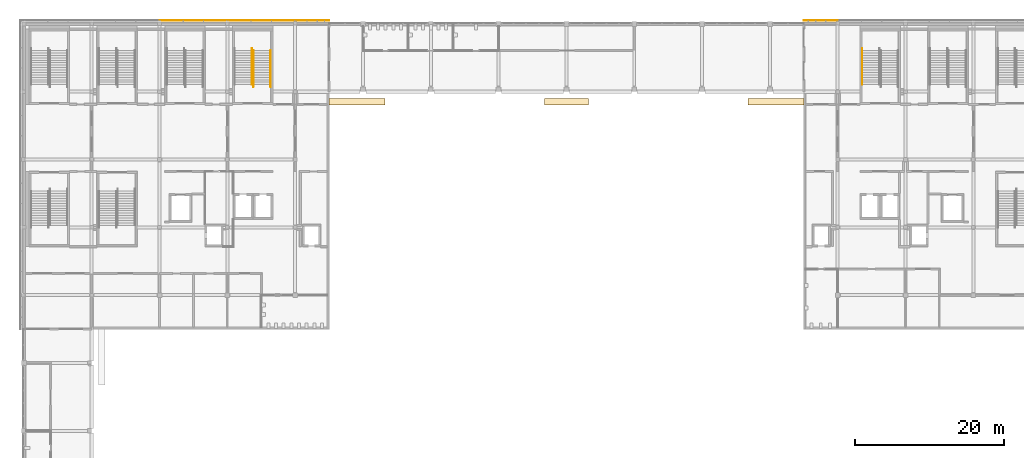
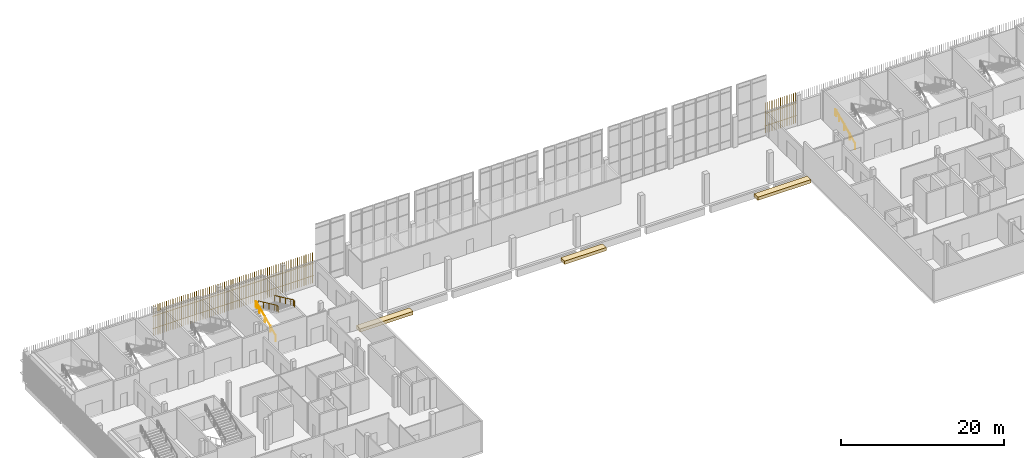
# One storey, part 81 of 91: 4 railings, 4 shading devices, 3 coverings.
"""IFC4 building model written with IfcOpenShell, lengths in metres."""

from ifc_helpers import new_model, si_unit, direction, frame, origin, origin_2d, place, context, subcontext, project, spatial, polyline, rectangle, circle, outline, extrude, material, layer, layer_set, type_object, element, save


model = new_model("IFC4")

# Units and contexts
model_context = context("Model", 3, precision=1e-05, world=origin(), true_north=direction((0.0, 1.0)))
body_context = subcontext(model_context, "Body", "Model", "MODEL_VIEW")
ifc_project = project(units=[si_unit("LENGTHUNIT", "METRE"), si_unit("AREAUNIT", "SQUARE_METRE"), si_unit("VOLUMEUNIT", "CUBIC_METRE"), si_unit("PLANEANGLEUNIT", "RADIAN"), si_unit("MASSUNIT", "GRAM", prefix="KILO")], contexts=[model_context])

# Site, building, storey
site_placement = place(None, origin())
site = spatial("IfcSite", under=ifc_project, at=site_placement, CompositionType="ELEMENT")
building_placement = place(site_placement, origin())
building = spatial("IfcBuilding", under=site, at=building_placement, Name="Shirokan Park Arena", CompositionType="ELEMENT")
storey_placement = place(building_placement, frame((0.0, 0.0, 24.570068359375)))
storey = spatial("IfcBuildingStorey", under=building, at=storey_placement, Name="L05", CompositionType="ELEMENT", Elevation=24.570068359375)

# Coverings
ifc_material_1 = material(Name="Concrete screed on the tier", Category="concrete")
ifc_layer = layer(ifc_material_1, 0.47998046875)
ifc_layer_set = layer_set([ifc_layer], Name="Concrete screed on the tier 480 mm")
covering_type = type_object("IfcCoveringType", Name="Platform floor infill 480", PredefinedType="FLOORING", material=ifc_layer_set)
covering_1_placement = place(storey_placement, frame((0.0, 0.0, -0.47998046875)))
element("IfcCovering", 1, at=covering_1_placement, inside=storey, type_object=covering_type, Name="Wheelchair Platform Floor N1 Upper Tier", PredefinedType="FLOORING", context=body_context, shape_type="SweptSolid", body=[
    extrude(outline(polyline([(48.449951171875, 98.300048828125), (48.449951171875, 99.199951171875), (40.949951171875, 99.199951171875), (40.949951171875, 98.300048828125), (48.449951171875, 98.300048828125)])), origin(), (0.0, 0.0, 1.0), 0.47998046875),
])
covering_2_placement = place(storey_placement, frame((0.0, 0.0, -0.47998046875)))
element("IfcCovering", 2, at=covering_2_placement, inside=storey, type_object=covering_type, Name="Wheelchair Platform Floor N2 Upper Tier", PredefinedType="FLOORING", context=body_context, shape_type="SweptSolid", body=[
    extrude(outline(polyline([(75.75, 98.300048828125), (75.75, 99.199951171875), (69.85009765625, 99.199951171875), (69.85009765625, 98.300048828125), (75.75, 98.300048828125)])), origin(), (0.0, 0.0, 1.0), 0.47998046875),
])
covering_3_placement = place(storey_placement, frame((0.0, 0.0, -0.47998046875)))
element("IfcCovering", 3, at=covering_3_placement, inside=storey, type_object=covering_type, Name="Wheelchair Platform Floor N3 Upper Tier", PredefinedType="FLOORING", context=body_context, shape_type="SweptSolid", body=[
    extrude(outline(polyline([(104.64990234375, 98.300048828125), (104.64990234375, 99.199951171875), (97.14990234375, 99.199951171875), (97.14990234375, 98.300048828125), (104.64990234375, 98.300048828125)])), origin(), (0.0, 0.0, 1.0), 0.47998046875),
])

# Railings
ifc_material_2 = material(Name="Stainless steel", Category="steel")
railing_type = type_object("IfcRailingType", Name="Stair handrail 900", PredefinedType="HANDRAIL", material=ifc_material_2)
railing_1_placement = place(storey_placement, frame((30.610107421875, 101.050048828125, 0.151611328125)))
element("IfcRailing", 4, at=railing_1_placement, inside=storey, type_object=railing_type, Name="Handrail Exit Stair 4.D L05 to L06", PredefinedType="HANDRAIL", context=body_context, shape_type="SweptSolid", body=[
    extrude(circle(Radius=0.02392578125, at=origin_2d()), frame((0.0, 0.0, 0.8759765625), z_axis=(0.0, 0.906999720516, 0.421131222998), x_axis=(-1.0, 0.0, 0.0)), (0.0, 0.0, 1.0), 1.440673828125),
    extrude(circle(Radius=0.02392578125, at=origin_2d()), frame((0.0, 1.306640625, 1.482421875), z_axis=(0.0, 0.907029769225, 0.421066500378), x_axis=(-1.0, 0.0, 0.0)), (0.0, 0.0, 1.0), 1.44091796875),
    extrude(circle(Radius=0.02392578125, at=origin_2d()), frame((0.0, 2.613525390625, 2.08935546875), z_axis=(0.0, 0.907029769225, 0.421066500378), x_axis=(-1.0, 0.0, 0.0)), (0.0, 0.0, 1.0), 1.44091796875),
    extrude(circle(Radius=0.02392578125, at=origin_2d()), frame((0.0, 3.92041015625, 2.69580078125), z_axis=(0.0, 0.907064445915, 0.420991794405), x_axis=(-1.0, 0.0, 0.0)), (0.0, 0.0, 1.0), 0.72021484375),
    extrude(circle(Radius=0.02392578125, at=origin_2d()), frame((0.0, 4.57373046875, 2.9990234375), z_axis=(0.0, 1.0, 0.0), x_axis=(-1.0, 0.0, 0.0)), (0.0, 0.0, 1.0), 0.300048828125),
    extrude(circle(Radius=0.02099609375, at=origin_2d()), origin(), (0.0, 0.0, 1.0), 0.851806640625),
    extrude(circle(Radius=0.02099609375, at=origin_2d()), frame((0.0, 1.306640625, 0.606689453125)), (0.0, 0.0, 1.0), 0.851806640625),
    extrude(circle(Radius=0.02099609375, at=origin_2d()), frame((0.0, 2.613525390625, 1.21337890625)), (0.0, 0.0, 1.0), 0.851806640625),
    extrude(circle(Radius=0.02099609375, at=origin_2d()), frame((0.0, 3.92041015625, 1.820068359375)), (0.0, 0.0, 1.0), 0.851806640625),
    extrude(circle(Radius=0.02099609375, at=origin_2d()), frame((0.0, 4.57373046875, 2.123291015625)), (0.0, 0.0, 1.0), 0.851806640625),
    extrude(circle(Radius=0.02099609375, at=origin_2d()), frame((0.0, 4.873779296875, 2.123291015625)), (0.0, 0.0, 1.0), 0.851806640625),
])
railing_2_placement = place(storey_placement, frame((30.7900390625, 105.623779296875, 2.426513671875)))
element("IfcRailing", 5, at=railing_2_placement, inside=storey, type_object=railing_type, Name="Handrail Exit Stair 4.D L05 to L06", PredefinedType="HANDRAIL", context=body_context, shape_type="SweptSolid", body=[
    extrude(circle(Radius=0.02392578125, at=origin_2d()), frame((0.0, 0.0, 0.8759765625), z_axis=(0.0, -0.907029769225, 0.421066500378), x_axis=(1.0, 0.0, 0.0)), (0.0, 0.0, 1.0), 1.44091796875),
    extrude(circle(Radius=0.02392578125, at=origin_2d()), frame((0.0, -1.306884765625, 1.482421875), z_axis=(0.0, -0.906999720516, 0.421131222998), x_axis=(1.0, 0.0, 0.0)), (0.0, 0.0, 1.0), 1.440673828125),
    extrude(circle(Radius=0.02392578125, at=origin_2d()), frame((0.0, -2.613525390625, 2.08935546875), z_axis=(0.0, -0.907029769225, 0.421066500378), x_axis=(1.0, 0.0, 0.0)), (0.0, 0.0, 1.0), 1.44091796875),
    extrude(circle(Radius=0.02392578125, at=origin_2d()), frame((0.0, -3.92041015625, 2.69580078125), z_axis=(0.0, -0.906934982928, 0.421270621741), x_axis=(1.0, 0.0, 0.0)), (0.0, 0.0, 1.0), 0.720458984375),
    extrude(circle(Radius=0.02392578125, at=origin_2d()), frame((0.0, -4.57373046875, 2.99951171875), z_axis=(0.0, -1.0, 0.0), x_axis=(1.0, 0.0, 0.0)), (0.0, 0.0, 1.0), 0.300048828125),
    extrude(circle(Radius=0.02099609375, at=origin_2d()), origin(), (0.0, 0.0, 1.0), 0.851806640625),
    extrude(circle(Radius=0.02099609375, at=origin_2d()), frame((0.0, -1.306884765625, 0.606689453125)), (0.0, 0.0, 1.0), 0.851806640625),
    extrude(circle(Radius=0.02099609375, at=origin_2d()), frame((0.0, -2.613525390625, 1.21337890625)), (0.0, 0.0, 1.0), 0.851806640625),
    extrude(circle(Radius=0.02099609375, at=origin_2d()), frame((0.0, -3.92041015625, 1.820068359375)), (0.0, 0.0, 1.0), 0.851806640625),
    extrude(circle(Radius=0.02099609375, at=origin_2d()), frame((0.0, -4.57373046875, 2.12353515625)), (0.0, 0.0, 1.0), 0.851806640625),
    extrude(circle(Radius=0.02099609375, at=origin_2d()), frame((0.0, -4.873779296875, 2.12353515625)), (0.0, 0.0, 1.0), 0.851806640625),
])
railing_3_placement = place(storey_placement, frame((33.110107421875, 105.623779296875, 2.426513671875)))
element("IfcRailing", 6, at=railing_3_placement, inside=storey, type_object=railing_type, Name="Handrail Exit Stair 4.D L05 to L06", PredefinedType="HANDRAIL", context=body_context, shape_type="SweptSolid", body=[
    extrude(circle(Radius=0.02392578125, at=origin_2d()), frame((0.0, 0.0, 0.8759765625), z_axis=(0.0, -0.907029769225, 0.421066500378), x_axis=(1.0, 0.0, 0.0)), (0.0, 0.0, 1.0), 1.44091796875),
    extrude(circle(Radius=0.02392578125, at=origin_2d()), frame((0.0, -1.306884765625, 1.482421875), z_axis=(0.0, -0.906999720516, 0.421131222998), x_axis=(1.0, 0.0, 0.0)), (0.0, 0.0, 1.0), 1.440673828125),
    extrude(circle(Radius=0.02392578125, at=origin_2d()), frame((0.0, -2.613525390625, 2.08935546875), z_axis=(0.0, -0.907029769225, 0.421066500378), x_axis=(1.0, 0.0, 0.0)), (0.0, 0.0, 1.0), 1.44091796875),
    extrude(circle(Radius=0.02392578125, at=origin_2d()), frame((0.0, -3.92041015625, 2.69580078125), z_axis=(0.0, -0.906934982928, 0.421270621741), x_axis=(1.0, 0.0, 0.0)), (0.0, 0.0, 1.0), 0.720458984375),
    extrude(circle(Radius=0.02392578125, at=origin_2d()), frame((0.0, -4.57373046875, 2.99951171875), z_axis=(0.0, -1.0, 0.0), x_axis=(1.0, 0.0, 0.0)), (0.0, 0.0, 1.0), 0.300048828125),
    extrude(circle(Radius=0.02099609375, at=origin_2d()), origin(), (0.0, 0.0, 1.0), 0.851806640625),
    extrude(circle(Radius=0.02099609375, at=origin_2d()), frame((0.0, -1.306884765625, 0.606689453125)), (0.0, 0.0, 1.0), 0.851806640625),
    extrude(circle(Radius=0.02099609375, at=origin_2d()), frame((0.0, -2.613525390625, 1.21337890625)), (0.0, 0.0, 1.0), 0.851806640625),
    extrude(circle(Radius=0.02099609375, at=origin_2d()), frame((0.0, -3.92041015625, 1.820068359375)), (0.0, 0.0, 1.0), 0.851806640625),
    extrude(circle(Radius=0.02099609375, at=origin_2d()), frame((0.0, -4.57373046875, 2.12353515625)), (0.0, 0.0, 1.0), 0.851806640625),
    extrude(circle(Radius=0.02099609375, at=origin_2d()), frame((0.0, -4.873779296875, 2.12353515625)), (0.0, 0.0, 1.0), 0.851806640625),
])
railing_4_placement = place(storey_placement, frame((112.489990234375, 101.050048828125, 0.151611328125)))
element("IfcRailing", 7, at=railing_4_placement, inside=storey, type_object=railing_type, Name="Handrail Exit Stair 3.D L05 to L06", PredefinedType="HANDRAIL", context=body_context, shape_type="SweptSolid", body=[
    extrude(circle(Radius=0.02392578125, at=origin_2d()), frame((0.0, 0.0, 0.8759765625), z_axis=(0.0, 0.906999720516, 0.421131222998), x_axis=(-1.0, 0.0, 0.0)), (0.0, 0.0, 1.0), 1.440673828125),
    extrude(circle(Radius=0.02392578125, at=origin_2d()), frame((0.0, 1.306640625, 1.482421875), z_axis=(0.0, 0.907029769225, 0.421066500378), x_axis=(-1.0, 0.0, 0.0)), (0.0, 0.0, 1.0), 1.44091796875),
    extrude(circle(Radius=0.02392578125, at=origin_2d()), frame((0.0, 2.613525390625, 2.08935546875), z_axis=(0.0, 0.907029769225, 0.421066500378), x_axis=(-1.0, 0.0, 0.0)), (0.0, 0.0, 1.0), 1.44091796875),
    extrude(circle(Radius=0.02392578125, at=origin_2d()), frame((0.0, 3.92041015625, 2.69580078125), z_axis=(0.0, 0.907064445915, 0.420991794405), x_axis=(-1.0, 0.0, 0.0)), (0.0, 0.0, 1.0), 0.72021484375),
    extrude(circle(Radius=0.02392578125, at=origin_2d()), frame((0.0, 4.57373046875, 2.9990234375), z_axis=(0.0, 1.0, 0.0), x_axis=(-1.0, 0.0, 0.0)), (0.0, 0.0, 1.0), 0.300048828125),
    extrude(circle(Radius=0.02099609375, at=origin_2d()), origin(), (0.0, 0.0, 1.0), 0.851806640625),
    extrude(circle(Radius=0.02099609375, at=origin_2d()), frame((0.0, 1.306640625, 0.606689453125)), (0.0, 0.0, 1.0), 0.851806640625),
    extrude(circle(Radius=0.02099609375, at=origin_2d()), frame((0.0, 2.613525390625, 1.21337890625)), (0.0, 0.0, 1.0), 0.851806640625),
    extrude(circle(Radius=0.02099609375, at=origin_2d()), frame((0.0, 3.92041015625, 1.820068359375)), (0.0, 0.0, 1.0), 0.851806640625),
    extrude(circle(Radius=0.02099609375, at=origin_2d()), frame((0.0, 4.57373046875, 2.123291015625)), (0.0, 0.0, 1.0), 0.851806640625),
    extrude(circle(Radius=0.02099609375, at=origin_2d()), frame((0.0, 4.873779296875, 2.123291015625)), (0.0, 0.0, 1.0), 0.851806640625),
])

# Shading devices
ifc_material_3 = material(Name="Timber louvre veil (cedar)", Category="wood")
shading_device_type = type_object("IfcShadingDeviceType", Name="Timber louvre veil panel", PredefinedType="JALOUSIE", material=ifc_material_3)
shading_device_1_placement = place(storey_placement, origin())
element("IfcShadingDevice", 8, at=shading_device_1_placement, inside=storey, type_object=shading_device_type, Name="Timber louvre veil north bay 5 L05", PredefinedType="JALOUSIE", context=body_context, shape_type="SweptSolid", body=[
    extrude(rectangle(XDim=0.050048828125, YDim=0.080078125, at=origin_2d()), frame((109.04833984375, 109.68505859375, 0.0), z_axis=(0.0, 0.0, 1.0), x_axis=(-1.0, 0.0, 0.0)), (0.0, 0.0, 1.0), 4.550048828125),
    extrude(rectangle(XDim=0.050048828125, YDim=0.080078125, at=origin_2d()), frame((108.7451171875, 109.68505859375, 0.0), z_axis=(0.0, 0.0, 1.0), x_axis=(-1.0, 0.0, 0.0)), (0.0, 0.0, 1.0), 4.550048828125),
    extrude(rectangle(XDim=0.050048828125, YDim=0.080078125, at=origin_2d()), frame((108.441650390625, 109.68505859375, 0.0), z_axis=(0.0, 0.0, 1.0), x_axis=(-1.0, 0.0, 0.0)), (0.0, 0.0, 1.0), 4.550048828125),
    extrude(rectangle(XDim=0.050048828125, YDim=0.080078125, at=origin_2d()), frame((108.138427734375, 109.68505859375, 0.0), z_axis=(0.0, 0.0, 1.0), x_axis=(-1.0, 0.0, 0.0)), (0.0, 0.0, 1.0), 4.550048828125),
    extrude(rectangle(XDim=0.050048828125, YDim=0.080078125, at=origin_2d()), frame((107.8349609375, 109.68505859375, 0.0), z_axis=(0.0, 0.0, 1.0), x_axis=(-1.0, 0.0, 0.0)), (0.0, 0.0, 1.0), 4.550048828125),
    extrude(rectangle(XDim=0.050048828125, YDim=0.080078125, at=origin_2d()), frame((107.53173828125, 109.68505859375, 0.0), z_axis=(0.0, 0.0, 1.0), x_axis=(-1.0, 0.0, 0.0)), (0.0, 0.0, 1.0), 4.550048828125),
    extrude(rectangle(XDim=0.050048828125, YDim=0.080078125, at=origin_2d()), frame((107.228271484375, 109.68505859375, 0.0), z_axis=(0.0, 0.0, 1.0), x_axis=(-1.0, 0.0, 0.0)), (0.0, 0.0, 1.0), 4.550048828125),
    extrude(rectangle(XDim=0.050048828125, YDim=0.080078125, at=origin_2d()), frame((106.925048828125, 109.68505859375, 0.0), z_axis=(0.0, 0.0, 1.0), x_axis=(-1.0, 0.0, 0.0)), (0.0, 0.0, 1.0), 4.550048828125),
    extrude(rectangle(XDim=0.050048828125, YDim=0.080078125, at=origin_2d()), frame((106.62158203125, 109.68505859375, 0.0), z_axis=(0.0, 0.0, 1.0), x_axis=(-1.0, 0.0, 0.0)), (0.0, 0.0, 1.0), 4.550048828125),
    extrude(rectangle(XDim=0.050048828125, YDim=0.080078125, at=origin_2d()), frame((106.318359375, 109.68505859375, 0.0), z_axis=(0.0, 0.0, 1.0), x_axis=(-1.0, 0.0, 0.0)), (0.0, 0.0, 1.0), 4.550048828125),
    extrude(rectangle(XDim=0.050048828125, YDim=0.080078125, at=origin_2d()), frame((106.014892578125, 109.68505859375, 0.0), z_axis=(0.0, 0.0, 1.0), x_axis=(-1.0, 0.0, 0.0)), (0.0, 0.0, 1.0), 4.550048828125),
    extrude(rectangle(XDim=0.050048828125, YDim=0.080078125, at=origin_2d()), frame((105.711669921875, 109.68505859375, 0.0), z_axis=(0.0, 0.0, 1.0), x_axis=(-1.0, 0.0, 0.0)), (0.0, 0.0, 1.0), 4.550048828125),
    extrude(rectangle(XDim=0.050048828125, YDim=0.080078125, at=origin_2d()), frame((105.408447265625, 109.68505859375, 0.0), z_axis=(0.0, 0.0, 1.0), x_axis=(-1.0, 0.0, 0.0)), (0.0, 0.0, 1.0), 4.550048828125),
    extrude(rectangle(XDim=0.050048828125, YDim=0.080078125, at=origin_2d()), frame((105.10498046875, 109.68505859375, 0.0), z_axis=(0.0, 0.0, 1.0), x_axis=(-1.0, 0.0, 0.0)), (0.0, 0.0, 1.0), 4.550048828125),
    extrude(rectangle(XDim=0.050048828125, YDim=0.080078125, at=origin_2d()), frame((104.8017578125, 109.68505859375, 0.0), z_axis=(0.0, 0.0, 1.0), x_axis=(-1.0, 0.0, 0.0)), (0.0, 0.0, 1.0), 4.550048828125),
    extrude(rectangle(XDim=4.550048828125, YDim=0.050048828125, at=origin_2d()), frame((106.925048828125, 109.669921875, 1.059814453125), z_axis=(0.0, 0.0, 1.0), x_axis=(-1.0, 0.0, 0.0)), (0.0, 0.0, 1.0), 0.080078125),
    extrude(rectangle(XDim=4.550048828125, YDim=0.050048828125, at=origin_2d()), frame((106.925048828125, 109.669921875, 2.909912109375), z_axis=(0.0, 0.0, 1.0), x_axis=(-1.0, 0.0, 0.0)), (0.0, 0.0, 1.0), 0.080078125),
])
shading_device_2_placement = place(storey_placement, origin())
element("IfcShadingDevice", 9, at=shading_device_2_placement, inside=storey, type_object=shading_device_type, Name="Timber louvre veil north bay 12 L05", PredefinedType="JALOUSIE", context=body_context, shape_type="SweptSolid", body=[
    extrude(rectangle(XDim=0.050048828125, YDim=0.080078125, at=origin_2d()), frame((40.79833984375, 109.68505859375, 0.0), z_axis=(0.0, 0.0, 1.0), x_axis=(-1.0, 0.0, 0.0)), (0.0, 0.0, 1.0), 4.550048828125),
    extrude(rectangle(XDim=0.050048828125, YDim=0.080078125, at=origin_2d()), frame((40.4951171875, 109.68505859375, 0.0), z_axis=(0.0, 0.0, 1.0), x_axis=(-1.0, 0.0, 0.0)), (0.0, 0.0, 1.0), 4.550048828125),
    extrude(rectangle(XDim=0.050048828125, YDim=0.080078125, at=origin_2d()), frame((40.191650390625, 109.68505859375, 0.0), z_axis=(0.0, 0.0, 1.0), x_axis=(-1.0, 0.0, 0.0)), (0.0, 0.0, 1.0), 4.550048828125),
    extrude(rectangle(XDim=0.050048828125, YDim=0.080078125, at=origin_2d()), frame((39.888427734375, 109.68505859375, 0.0), z_axis=(0.0, 0.0, 1.0), x_axis=(-1.0, 0.0, 0.0)), (0.0, 0.0, 1.0), 4.550048828125),
    extrude(rectangle(XDim=0.050048828125, YDim=0.080078125, at=origin_2d()), frame((39.5849609375, 109.68505859375, 0.0), z_axis=(0.0, 0.0, 1.0), x_axis=(-1.0, 0.0, 0.0)), (0.0, 0.0, 1.0), 4.550048828125),
    extrude(rectangle(XDim=0.050048828125, YDim=0.080078125, at=origin_2d()), frame((39.28173828125, 109.68505859375, 0.0), z_axis=(0.0, 0.0, 1.0), x_axis=(-1.0, 0.0, 0.0)), (0.0, 0.0, 1.0), 4.550048828125),
    extrude(rectangle(XDim=0.050048828125, YDim=0.080078125, at=origin_2d()), frame((38.978271484375, 109.68505859375, 0.0), z_axis=(0.0, 0.0, 1.0), x_axis=(-1.0, 0.0, 0.0)), (0.0, 0.0, 1.0), 4.550048828125),
    extrude(rectangle(XDim=0.050048828125, YDim=0.080078125, at=origin_2d()), frame((38.675048828125, 109.68505859375, 0.0), z_axis=(0.0, 0.0, 1.0), x_axis=(-1.0, 0.0, 0.0)), (0.0, 0.0, 1.0), 4.550048828125),
    extrude(rectangle(XDim=0.050048828125, YDim=0.080078125, at=origin_2d()), frame((38.37158203125, 109.68505859375, 0.0), z_axis=(0.0, 0.0, 1.0), x_axis=(-1.0, 0.0, 0.0)), (0.0, 0.0, 1.0), 4.550048828125),
    extrude(rectangle(XDim=0.050048828125, YDim=0.080078125, at=origin_2d()), frame((38.068359375, 109.68505859375, 0.0), z_axis=(0.0, 0.0, 1.0), x_axis=(-1.0, 0.0, 0.0)), (0.0, 0.0, 1.0), 4.550048828125),
    extrude(rectangle(XDim=0.050048828125, YDim=0.080078125, at=origin_2d()), frame((37.764892578125, 109.68505859375, 0.0), z_axis=(0.0, 0.0, 1.0), x_axis=(-1.0, 0.0, 0.0)), (0.0, 0.0, 1.0), 4.550048828125),
    extrude(rectangle(XDim=0.050048828125, YDim=0.080078125, at=origin_2d()), frame((37.461669921875, 109.68505859375, 0.0), z_axis=(0.0, 0.0, 1.0), x_axis=(-1.0, 0.0, 0.0)), (0.0, 0.0, 1.0), 4.550048828125),
    extrude(rectangle(XDim=0.050048828125, YDim=0.080078125, at=origin_2d()), frame((37.158447265625, 109.68505859375, 0.0), z_axis=(0.0, 0.0, 1.0), x_axis=(-1.0, 0.0, 0.0)), (0.0, 0.0, 1.0), 4.550048828125),
    extrude(rectangle(XDim=0.050048828125, YDim=0.080078125, at=origin_2d()), frame((36.85498046875, 109.68505859375, 0.0), z_axis=(0.0, 0.0, 1.0), x_axis=(-1.0, 0.0, 0.0)), (0.0, 0.0, 1.0), 4.550048828125),
    extrude(rectangle(XDim=0.050048828125, YDim=0.080078125, at=origin_2d()), frame((36.5517578125, 109.68505859375, 0.0), z_axis=(0.0, 0.0, 1.0), x_axis=(-1.0, 0.0, 0.0)), (0.0, 0.0, 1.0), 4.550048828125),
    extrude(rectangle(XDim=4.550048828125, YDim=0.050048828125, at=origin_2d()), frame((38.675048828125, 109.669921875, 1.059814453125), z_axis=(0.0, 0.0, 1.0), x_axis=(-1.0, 0.0, 0.0)), (0.0, 0.0, 1.0), 0.080078125),
    extrude(rectangle(XDim=4.550048828125, YDim=0.050048828125, at=origin_2d()), frame((38.675048828125, 109.669921875, 2.909912109375), z_axis=(0.0, 0.0, 1.0), x_axis=(-1.0, 0.0, 0.0)), (0.0, 0.0, 1.0), 0.080078125),
])
shading_device_3_placement = place(storey_placement, origin())
element("IfcShadingDevice", 10, at=shading_device_3_placement, inside=storey, type_object=shading_device_type, Name="Timber louvre veil north bay 13 L05", PredefinedType="JALOUSIE", context=body_context, shape_type="SweptSolid", body=[
    extrude(rectangle(XDim=0.050048828125, YDim=0.080078125, at=origin_2d()), frame((36.248291015625, 109.68505859375, 0.0), z_axis=(0.0, 0.0, 1.0), x_axis=(-1.0, 0.0, 0.0)), (0.0, 0.0, 1.0), 4.550048828125),
    extrude(rectangle(XDim=0.050048828125, YDim=0.080078125, at=origin_2d()), frame((35.945068359375, 109.68505859375, 0.0), z_axis=(0.0, 0.0, 1.0), x_axis=(-1.0, 0.0, 0.0)), (0.0, 0.0, 1.0), 4.550048828125),
    extrude(rectangle(XDim=0.050048828125, YDim=0.080078125, at=origin_2d()), frame((35.6416015625, 109.68505859375, 0.0), z_axis=(0.0, 0.0, 1.0), x_axis=(-1.0, 0.0, 0.0)), (0.0, 0.0, 1.0), 4.550048828125),
    extrude(rectangle(XDim=0.050048828125, YDim=0.080078125, at=origin_2d()), frame((35.33837890625, 109.68505859375, 0.0), z_axis=(0.0, 0.0, 1.0), x_axis=(-1.0, 0.0, 0.0)), (0.0, 0.0, 1.0), 4.550048828125),
    extrude(rectangle(XDim=0.050048828125, YDim=0.080078125, at=origin_2d()), frame((35.034912109375, 109.68505859375, 0.0), z_axis=(0.0, 0.0, 1.0), x_axis=(-1.0, 0.0, 0.0)), (0.0, 0.0, 1.0), 4.550048828125),
    extrude(rectangle(XDim=0.050048828125, YDim=0.080078125, at=origin_2d()), frame((34.731689453125, 109.68505859375, 0.0), z_axis=(0.0, 0.0, 1.0), x_axis=(-1.0, 0.0, 0.0)), (0.0, 0.0, 1.0), 4.550048828125),
    extrude(rectangle(XDim=0.050048828125, YDim=0.080078125, at=origin_2d()), frame((34.42822265625, 109.68505859375, 0.0), z_axis=(0.0, 0.0, 1.0), x_axis=(-1.0, 0.0, 0.0)), (0.0, 0.0, 1.0), 4.550048828125),
    extrude(rectangle(XDim=0.050048828125, YDim=0.080078125, at=origin_2d()), frame((34.125, 109.68505859375, 0.0), z_axis=(0.0, 0.0, 1.0), x_axis=(-1.0, 0.0, 0.0)), (0.0, 0.0, 1.0), 4.550048828125),
    extrude(rectangle(XDim=0.050048828125, YDim=0.080078125, at=origin_2d()), frame((33.82177734375, 109.68505859375, 0.0), z_axis=(0.0, 0.0, 1.0), x_axis=(-1.0, 0.0, 0.0)), (0.0, 0.0, 1.0), 4.550048828125),
    extrude(rectangle(XDim=0.050048828125, YDim=0.080078125, at=origin_2d()), frame((33.518310546875, 109.68505859375, 0.0), z_axis=(0.0, 0.0, 1.0), x_axis=(-1.0, 0.0, 0.0)), (0.0, 0.0, 1.0), 4.550048828125),
    extrude(rectangle(XDim=0.050048828125, YDim=0.080078125, at=origin_2d()), frame((33.215087890625, 109.68505859375, 0.0), z_axis=(0.0, 0.0, 1.0), x_axis=(-1.0, 0.0, 0.0)), (0.0, 0.0, 1.0), 4.550048828125),
    extrude(rectangle(XDim=0.050048828125, YDim=0.080078125, at=origin_2d()), frame((32.91162109375, 109.68505859375, 0.0), z_axis=(0.0, 0.0, 1.0), x_axis=(-1.0, 0.0, 0.0)), (0.0, 0.0, 1.0), 4.550048828125),
    extrude(rectangle(XDim=0.050048828125, YDim=0.080078125, at=origin_2d()), frame((32.6083984375, 109.68505859375, 0.0), z_axis=(0.0, 0.0, 1.0), x_axis=(-1.0, 0.0, 0.0)), (0.0, 0.0, 1.0), 4.550048828125),
    extrude(rectangle(XDim=0.050048828125, YDim=0.080078125, at=origin_2d()), frame((32.304931640625, 109.68505859375, 0.0), z_axis=(0.0, 0.0, 1.0), x_axis=(-1.0, 0.0, 0.0)), (0.0, 0.0, 1.0), 4.550048828125),
    extrude(rectangle(XDim=0.050048828125, YDim=0.080078125, at=origin_2d()), frame((32.001708984375, 109.68505859375, 0.0), z_axis=(0.0, 0.0, 1.0), x_axis=(-1.0, 0.0, 0.0)), (0.0, 0.0, 1.0), 4.550048828125),
    extrude(rectangle(XDim=0.050048828125, YDim=0.080078125, at=origin_2d()), frame((31.6982421875, 109.68505859375, 0.0), z_axis=(0.0, 0.0, 1.0), x_axis=(-1.0, 0.0, 0.0)), (0.0, 0.0, 1.0), 4.550048828125),
    extrude(rectangle(XDim=0.050048828125, YDim=0.080078125, at=origin_2d()), frame((31.39501953125, 109.68505859375, 0.0), z_axis=(0.0, 0.0, 1.0), x_axis=(-1.0, 0.0, 0.0)), (0.0, 0.0, 1.0), 4.550048828125),
    extrude(rectangle(XDim=0.050048828125, YDim=0.080078125, at=origin_2d()), frame((31.091552734375, 109.68505859375, 0.0), z_axis=(0.0, 0.0, 1.0), x_axis=(-1.0, 0.0, 0.0)), (0.0, 0.0, 1.0), 4.550048828125),
    extrude(rectangle(XDim=0.050048828125, YDim=0.080078125, at=origin_2d()), frame((30.788330078125, 109.68505859375, 0.0), z_axis=(0.0, 0.0, 1.0), x_axis=(-1.0, 0.0, 0.0)), (0.0, 0.0, 1.0), 4.550048828125),
    extrude(rectangle(XDim=0.050048828125, YDim=0.080078125, at=origin_2d()), frame((30.485107421875, 109.68505859375, 0.0), z_axis=(0.0, 0.0, 1.0), x_axis=(-1.0, 0.0, 0.0)), (0.0, 0.0, 1.0), 4.550048828125),
    extrude(rectangle(XDim=0.050048828125, YDim=0.080078125, at=origin_2d()), frame((30.181640625, 109.68505859375, 0.0), z_axis=(0.0, 0.0, 1.0), x_axis=(-1.0, 0.0, 0.0)), (0.0, 0.0, 1.0), 4.550048828125),
    extrude(rectangle(XDim=0.050048828125, YDim=0.080078125, at=origin_2d()), frame((29.87841796875, 109.68505859375, 0.0), z_axis=(0.0, 0.0, 1.0), x_axis=(-1.0, 0.0, 0.0)), (0.0, 0.0, 1.0), 4.550048828125),
    extrude(rectangle(XDim=0.050048828125, YDim=0.080078125, at=origin_2d()), frame((29.574951171875, 109.68505859375, 0.0), z_axis=(0.0, 0.0, 1.0), x_axis=(-1.0, 0.0, 0.0)), (0.0, 0.0, 1.0), 4.550048828125),
    extrude(rectangle(XDim=0.050048828125, YDim=0.080078125, at=origin_2d()), frame((29.271728515625, 109.68505859375, 0.0), z_axis=(0.0, 0.0, 1.0), x_axis=(-1.0, 0.0, 0.0)), (0.0, 0.0, 1.0), 4.550048828125),
    extrude(rectangle(XDim=0.050048828125, YDim=0.080078125, at=origin_2d()), frame((28.96826171875, 109.68505859375, 0.0), z_axis=(0.0, 0.0, 1.0), x_axis=(-1.0, 0.0, 0.0)), (0.0, 0.0, 1.0), 4.550048828125),
    extrude(rectangle(XDim=0.050048828125, YDim=0.080078125, at=origin_2d()), frame((28.6650390625, 109.68505859375, 0.0), z_axis=(0.0, 0.0, 1.0), x_axis=(-1.0, 0.0, 0.0)), (0.0, 0.0, 1.0), 4.550048828125),
    extrude(rectangle(XDim=0.050048828125, YDim=0.080078125, at=origin_2d()), frame((28.361572265625, 109.68505859375, 0.0), z_axis=(0.0, 0.0, 1.0), x_axis=(-1.0, 0.0, 0.0)), (0.0, 0.0, 1.0), 4.550048828125),
    extrude(rectangle(XDim=0.050048828125, YDim=0.080078125, at=origin_2d()), frame((28.058349609375, 109.68505859375, 0.0), z_axis=(0.0, 0.0, 1.0), x_axis=(-1.0, 0.0, 0.0)), (0.0, 0.0, 1.0), 4.550048828125),
    extrude(rectangle(XDim=0.050048828125, YDim=0.080078125, at=origin_2d()), frame((27.7548828125, 109.68505859375, 0.0), z_axis=(0.0, 0.0, 1.0), x_axis=(-1.0, 0.0, 0.0)), (0.0, 0.0, 1.0), 4.550048828125),
    extrude(rectangle(XDim=0.050048828125, YDim=0.080078125, at=origin_2d()), frame((27.45166015625, 109.68505859375, 0.0), z_axis=(0.0, 0.0, 1.0), x_axis=(-1.0, 0.0, 0.0)), (0.0, 0.0, 1.0), 4.550048828125),
    extrude(rectangle(XDim=9.10009765625, YDim=0.050048828125, at=origin_2d()), frame((31.85009765625, 109.669921875, 1.059814453125), z_axis=(0.0, 0.0, 1.0), x_axis=(-1.0, 0.0, 0.0)), (0.0, 0.0, 1.0), 0.080078125),
    extrude(rectangle(XDim=9.10009765625, YDim=0.050048828125, at=origin_2d()), frame((31.85009765625, 109.669921875, 2.909912109375), z_axis=(0.0, 0.0, 1.0), x_axis=(-1.0, 0.0, 0.0)), (0.0, 0.0, 1.0), 0.080078125),
])
shading_device_4_placement = place(storey_placement, origin())
element("IfcShadingDevice", 11, at=shading_device_4_placement, inside=storey, type_object=shading_device_type, Name="Timber louvre veil north bay 14 L05", PredefinedType="JALOUSIE", context=body_context, shape_type="SweptSolid", body=[
    extrude(rectangle(XDim=0.050048828125, YDim=0.080078125, at=origin_2d()), frame((27.1484375, 109.68505859375, 0.0), z_axis=(0.0, 0.0, 1.0), x_axis=(-1.0, 0.0, 0.0)), (0.0, 0.0, 1.0), 4.550048828125),
    extrude(rectangle(XDim=0.050048828125, YDim=0.080078125, at=origin_2d()), frame((26.844970703125, 109.68505859375, 0.0), z_axis=(0.0, 0.0, 1.0), x_axis=(-1.0, 0.0, 0.0)), (0.0, 0.0, 1.0), 4.550048828125),
    extrude(rectangle(XDim=0.050048828125, YDim=0.080078125, at=origin_2d()), frame((26.541748046875, 109.68505859375, 0.0), z_axis=(0.0, 0.0, 1.0), x_axis=(-1.0, 0.0, 0.0)), (0.0, 0.0, 1.0), 4.550048828125),
    extrude(rectangle(XDim=0.050048828125, YDim=0.080078125, at=origin_2d()), frame((26.23828125, 109.68505859375, 0.0), z_axis=(0.0, 0.0, 1.0), x_axis=(-1.0, 0.0, 0.0)), (0.0, 0.0, 1.0), 4.550048828125),
    extrude(rectangle(XDim=0.050048828125, YDim=0.080078125, at=origin_2d()), frame((25.93505859375, 109.68505859375, 0.0), z_axis=(0.0, 0.0, 1.0), x_axis=(-1.0, 0.0, 0.0)), (0.0, 0.0, 1.0), 4.550048828125),
    extrude(rectangle(XDim=0.050048828125, YDim=0.080078125, at=origin_2d()), frame((25.631591796875, 109.68505859375, 0.0), z_axis=(0.0, 0.0, 1.0), x_axis=(-1.0, 0.0, 0.0)), (0.0, 0.0, 1.0), 4.550048828125),
    extrude(rectangle(XDim=0.050048828125, YDim=0.080078125, at=origin_2d()), frame((25.328369140625, 109.68505859375, 0.0), z_axis=(0.0, 0.0, 1.0), x_axis=(-1.0, 0.0, 0.0)), (0.0, 0.0, 1.0), 4.550048828125),
    extrude(rectangle(XDim=0.050048828125, YDim=0.080078125, at=origin_2d()), frame((25.02490234375, 109.68505859375, 0.0), z_axis=(0.0, 0.0, 1.0), x_axis=(-1.0, 0.0, 0.0)), (0.0, 0.0, 1.0), 4.550048828125),
    extrude(rectangle(XDim=0.050048828125, YDim=0.080078125, at=origin_2d()), frame((24.7216796875, 109.68505859375, 0.0), z_axis=(0.0, 0.0, 1.0), x_axis=(-1.0, 0.0, 0.0)), (0.0, 0.0, 1.0), 4.550048828125),
    extrude(rectangle(XDim=0.050048828125, YDim=0.080078125, at=origin_2d()), frame((24.418212890625, 109.68505859375, 0.0), z_axis=(0.0, 0.0, 1.0), x_axis=(-1.0, 0.0, 0.0)), (0.0, 0.0, 1.0), 4.550048828125),
    extrude(rectangle(XDim=0.050048828125, YDim=0.080078125, at=origin_2d()), frame((24.114990234375, 109.68505859375, 0.0), z_axis=(0.0, 0.0, 1.0), x_axis=(-1.0, 0.0, 0.0)), (0.0, 0.0, 1.0), 4.550048828125),
    extrude(rectangle(XDim=0.050048828125, YDim=0.080078125, at=origin_2d()), frame((23.811767578125, 109.68505859375, 0.0), z_axis=(0.0, 0.0, 1.0), x_axis=(-1.0, 0.0, 0.0)), (0.0, 0.0, 1.0), 4.550048828125),
    extrude(rectangle(XDim=0.050048828125, YDim=0.080078125, at=origin_2d()), frame((23.50830078125, 109.68505859375, 0.0), z_axis=(0.0, 0.0, 1.0), x_axis=(-1.0, 0.0, 0.0)), (0.0, 0.0, 1.0), 4.550048828125),
    extrude(rectangle(XDim=0.050048828125, YDim=0.080078125, at=origin_2d()), frame((23.205078125, 109.68505859375, 0.0), z_axis=(0.0, 0.0, 1.0), x_axis=(-1.0, 0.0, 0.0)), (0.0, 0.0, 1.0), 4.550048828125),
    extrude(rectangle(XDim=0.050048828125, YDim=0.080078125, at=origin_2d()), frame((22.901611328125, 109.68505859375, 0.0), z_axis=(0.0, 0.0, 1.0), x_axis=(-1.0, 0.0, 0.0)), (0.0, 0.0, 1.0), 4.550048828125),
    extrude(rectangle(XDim=0.050048828125, YDim=0.080078125, at=origin_2d()), frame((22.598388671875, 109.68505859375, 0.0), z_axis=(0.0, 0.0, 1.0), x_axis=(-1.0, 0.0, 0.0)), (0.0, 0.0, 1.0), 4.550048828125),
    extrude(rectangle(XDim=0.050048828125, YDim=0.080078125, at=origin_2d()), frame((22.294921875, 109.68505859375, 0.0), z_axis=(0.0, 0.0, 1.0), x_axis=(-1.0, 0.0, 0.0)), (0.0, 0.0, 1.0), 4.550048828125),
    extrude(rectangle(XDim=0.050048828125, YDim=0.080078125, at=origin_2d()), frame((21.99169921875, 109.68505859375, 0.0), z_axis=(0.0, 0.0, 1.0), x_axis=(-1.0, 0.0, 0.0)), (0.0, 0.0, 1.0), 4.550048828125),
    extrude(rectangle(XDim=0.050048828125, YDim=0.080078125, at=origin_2d()), frame((21.688232421875, 109.68505859375, 0.0), z_axis=(0.0, 0.0, 1.0), x_axis=(-1.0, 0.0, 0.0)), (0.0, 0.0, 1.0), 4.550048828125),
    extrude(rectangle(XDim=0.050048828125, YDim=0.080078125, at=origin_2d()), frame((21.385009765625, 109.68505859375, 0.0), z_axis=(0.0, 0.0, 1.0), x_axis=(-1.0, 0.0, 0.0)), (0.0, 0.0, 1.0), 4.550048828125),
    extrude(rectangle(XDim=0.050048828125, YDim=0.080078125, at=origin_2d()), frame((21.081787109375, 109.68505859375, 0.0), z_axis=(0.0, 0.0, 1.0), x_axis=(-1.0, 0.0, 0.0)), (0.0, 0.0, 1.0), 4.550048828125),
    extrude(rectangle(XDim=0.050048828125, YDim=0.080078125, at=origin_2d()), frame((20.7783203125, 109.68505859375, 0.0), z_axis=(0.0, 0.0, 1.0), x_axis=(-1.0, 0.0, 0.0)), (0.0, 0.0, 1.0), 4.550048828125),
    extrude(rectangle(XDim=0.050048828125, YDim=0.080078125, at=origin_2d()), frame((20.47509765625, 109.68505859375, 0.0), z_axis=(0.0, 0.0, 1.0), x_axis=(-1.0, 0.0, 0.0)), (0.0, 0.0, 1.0), 4.550048828125),
    extrude(rectangle(XDim=0.050048828125, YDim=0.080078125, at=origin_2d()), frame((20.171630859375, 109.68505859375, 0.0), z_axis=(0.0, 0.0, 1.0), x_axis=(-1.0, 0.0, 0.0)), (0.0, 0.0, 1.0), 4.550048828125),
    extrude(rectangle(XDim=0.050048828125, YDim=0.080078125, at=origin_2d()), frame((19.868408203125, 109.68505859375, 0.0), z_axis=(0.0, 0.0, 1.0), x_axis=(-1.0, 0.0, 0.0)), (0.0, 0.0, 1.0), 4.550048828125),
    extrude(rectangle(XDim=0.050048828125, YDim=0.080078125, at=origin_2d()), frame((19.56494140625, 109.68505859375, 0.0), z_axis=(0.0, 0.0, 1.0), x_axis=(-1.0, 0.0, 0.0)), (0.0, 0.0, 1.0), 4.550048828125),
    extrude(rectangle(XDim=0.050048828125, YDim=0.080078125, at=origin_2d()), frame((19.26171875, 109.68505859375, 0.0), z_axis=(0.0, 0.0, 1.0), x_axis=(-1.0, 0.0, 0.0)), (0.0, 0.0, 1.0), 4.550048828125),
    extrude(rectangle(XDim=0.050048828125, YDim=0.080078125, at=origin_2d()), frame((18.958251953125, 109.68505859375, 0.0), z_axis=(0.0, 0.0, 1.0), x_axis=(-1.0, 0.0, 0.0)), (0.0, 0.0, 1.0), 4.550048828125),
    extrude(rectangle(XDim=0.050048828125, YDim=0.080078125, at=origin_2d()), frame((18.655029296875, 109.68505859375, 0.0), z_axis=(0.0, 0.0, 1.0), x_axis=(-1.0, 0.0, 0.0)), (0.0, 0.0, 1.0), 4.550048828125),
    extrude(rectangle(XDim=0.050048828125, YDim=0.080078125, at=origin_2d()), frame((18.3515625, 109.68505859375, 0.0), z_axis=(0.0, 0.0, 1.0), x_axis=(-1.0, 0.0, 0.0)), (0.0, 0.0, 1.0), 4.550048828125),
    extrude(rectangle(XDim=9.10009765625, YDim=0.050048828125, at=origin_2d()), frame((22.75, 109.669921875, 1.059814453125), z_axis=(0.0, 0.0, 1.0), x_axis=(-1.0, 0.0, 0.0)), (0.0, 0.0, 1.0), 0.080078125),
    extrude(rectangle(XDim=9.10009765625, YDim=0.050048828125, at=origin_2d()), frame((22.75, 109.669921875, 2.909912109375), z_axis=(0.0, 0.0, 1.0), x_axis=(-1.0, 0.0, 0.0)), (0.0, 0.0, 1.0), 0.080078125),
])

save(model, "model.ifc")
